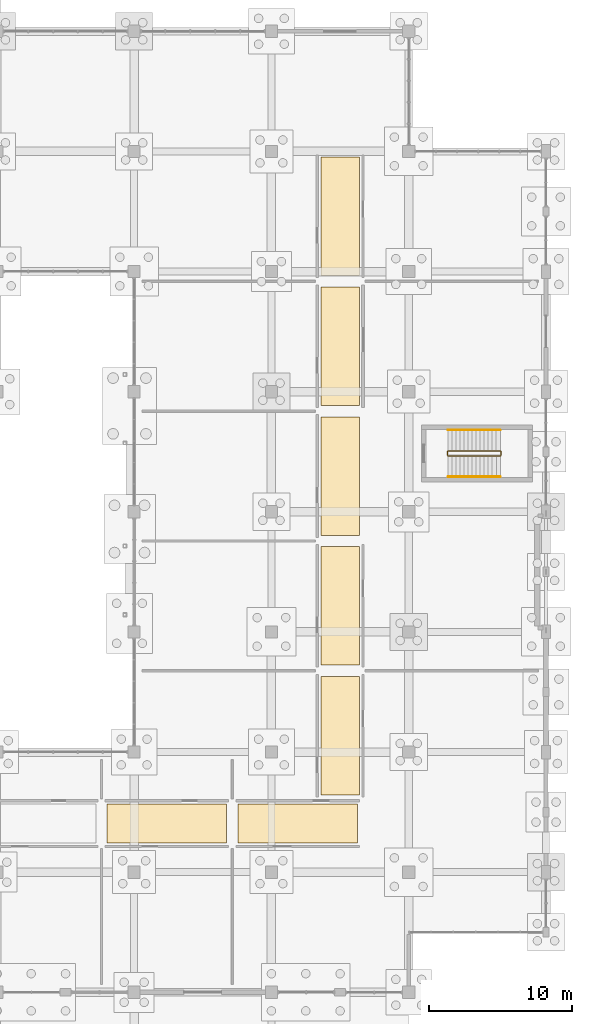
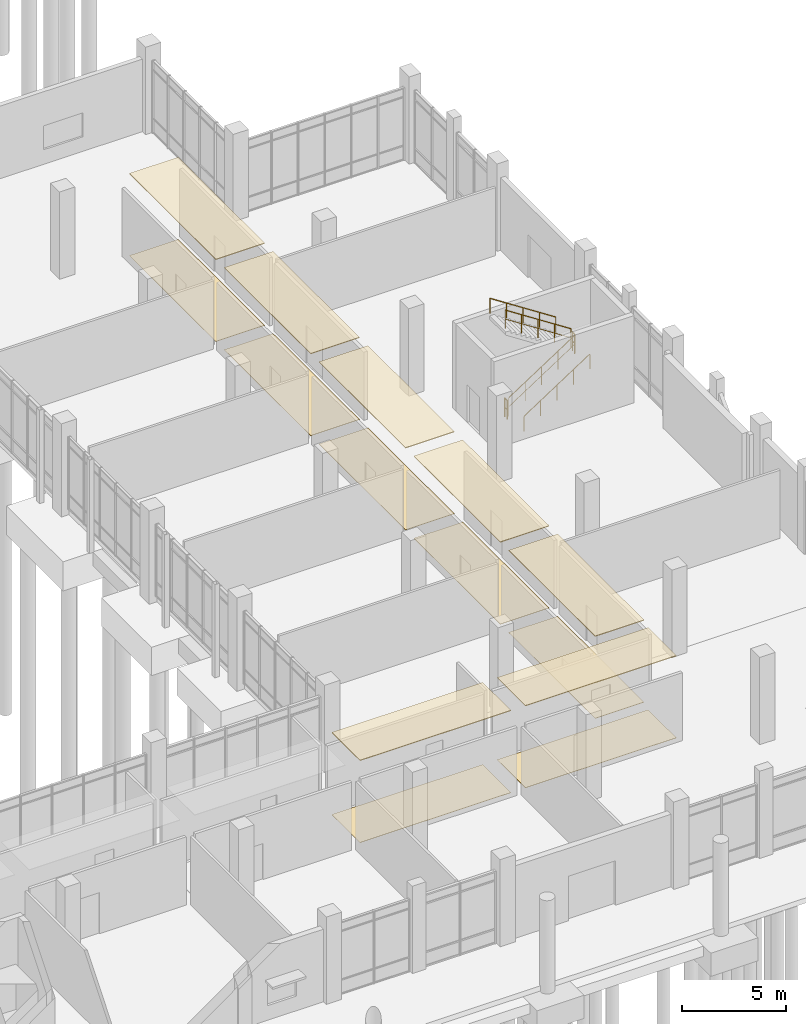
# One storey, part 130 of 136: 14 coverings, 6 railings.
"""IFC4 building model written with IfcOpenShell, lengths in metres."""

import ifcopenshell
import ifcopenshell.guid

model = None  # the IFC model being written
_history = None  # IfcOwnerHistory: only IFC2X3 demands one
_inside = {}  # id of a spatial element -> (the spatial element, [elements in it])
_under = {}  # id of a project, library or spatial element -> (it, [spatial elements below it])
_declared = {}  # id of a project -> (the project, [libraries it declares])
_typed = {}  # id of a type object -> (the type object, [elements of that type])
_made_of = {}  # id of a material, layer set ... -> (it, [elements and type objects made of it])


def new_model(schema):
    """Start an empty IFC model of exactly this schema.

    Asked for "IFC4X3", IfcOpenShell would pick the latest addendum, in which some entities
    have other attributes; the version numbers below select the first issue.
    IFC2X3 requires an IfcOwnerHistory on every rooted entity: one is made here for all.
    """
    global model, _history
    if schema == "IFC4X3":
        model = ifcopenshell.file(schema_version=(4, 3, 0, 0))
    else:
        model = ifcopenshell.file(schema=schema)
    _inside.clear()
    _under.clear()
    _declared.clear()
    _typed.clear()
    _made_of.clear()
    _history = None
    if model.schema == "IFC2X3":
        org = make("IfcOrganization", Name="unknown")
        user = make(
            "IfcPersonAndOrganization",
            ThePerson=make("IfcPerson", FamilyName="unknown"),
            TheOrganization=org,
        )
        app = make(
            "IfcApplication",
            ApplicationDeveloper=org,
            Version="unknown",
            ApplicationFullName="unknown",
            ApplicationIdentifier="unknown",
        )
        _history = make(
            "IfcOwnerHistory",
            OwningUser=user,
            OwningApplication=app,
            ChangeAction="ADDED",
            CreationDate=0,
        )
    return model


def make(cls, **values):
    """One entity of the class cls with the attributes given. An attribute that is None is left unset."""
    return model.create_entity(
        cls, **{name: value for name, value in values.items() if value is not None}
    )


def rooted(cls, **values):
    """An entity with a GlobalId (a new one), such as an element, a storey or a relation."""
    return make(cls, GlobalId=ifcopenshell.guid.new(), OwnerHistory=_history, **values)


def si_unit(unit_type, name, prefix=None):
    """IfcSIUnit, for example si_unit("LENGTHUNIT", "METRE", prefix="MILLI")."""
    return make("IfcSIUnit", UnitType=unit_type, Prefix=prefix, Name=name)


def assignment(units):
    """IfcUnitAssignment: the units of a project."""
    return None if units is None else make("IfcUnitAssignment", Units=units)


def point(xyz):
    """IfcCartesianPoint."""
    return None if xyz is None else make("IfcCartesianPoint", Coordinates=xyz)


def direction(xyz):
    """IfcDirection."""
    return None if xyz is None else make("IfcDirection", DirectionRatios=xyz)


def frame(location, z_axis=None, x_axis=None):
    """IfcAxis2Placement3D, a coordinate frame: its origin and axes. An axis left out is left unset."""
    return make(
        "IfcAxis2Placement3D",
        Location=point(location),
        Axis=direction(z_axis),
        RefDirection=direction(x_axis),
    )


def frame_2d(location, x_axis=None):
    """IfcAxis2Placement2D, a coordinate frame in the plane: its origin and x axis."""
    return make(
        "IfcAxis2Placement2D", Location=point(location), RefDirection=direction(x_axis)
    )


def origin():
    """The frame at (0, 0, 0) with its axes left unset."""
    return frame((0.0, 0.0, 0.0))


def origin_2d():
    """The frame at (0, 0) in the plane with its x axis left unset."""
    return frame_2d((0.0, 0.0))


def place(relative_to, where):
    """IfcLocalPlacement: puts the frame where relative to a parent placement (None: the world)."""
    return make(
        "IfcLocalPlacement", PlacementRelTo=relative_to, RelativePlacement=where
    )


def context(
    kind, dimensions, precision=None, world=None, true_north=None, identifier=None
):
    """IfcGeometricRepresentationContext, for example the 3D "Model" context."""
    return make(
        "IfcGeometricRepresentationContext",
        ContextIdentifier=identifier,
        ContextType=kind,
        CoordinateSpaceDimension=dimensions,
        Precision=precision,
        WorldCoordinateSystem=world,
        TrueNorth=true_north,
    )


def subcontext(parent, identifier, kind, view, scale=None):
    """IfcGeometricRepresentationSubContext, for example "Body" below "Model"."""
    return make(
        "IfcGeometricRepresentationSubContext",
        ContextIdentifier=identifier,
        ContextType=kind,
        ParentContext=parent,
        TargetScale=scale,
        TargetView=view,
    )


def project(units=None, contexts=None):
    """IfcProject with its units and contexts."""
    return rooted(
        "IfcProject",
        Name="project",
        RepresentationContexts=contexts,
        UnitsInContext=assignment(units),
    )


def spatial(cls, under=None, at=None, **own):
    """A site, building, storey or space (cls), placed at a placement, below another one or the project."""
    s = rooted(cls, ObjectPlacement=at, **own)
    if under is not None:
        _under.setdefault(under.id(), (under, []))[1].append(s)
    return s


def polyline(points):
    """IfcPolyline through the points."""
    return make("IfcPolyline", Points=[point(p) for p in points])


def profile(cls, at=None, kind="AREA", **sizes):
    """A parametric profile (cls). Its sizes go by their IFC names, for example OverallWidth=200.0."""
    return make(cls, ProfileType=kind, Position=at, **sizes)


def circle(**sizes):
    """IfcCircleProfileDef."""
    return profile("IfcCircleProfileDef", **sizes)


def outline(outer, holes=None, kind="AREA"):
    """IfcArbitraryClosedProfileDef: a profile drawn as a closed curve; with holes, ...WithVoids."""
    if holes is None:
        return make("IfcArbitraryClosedProfileDef", ProfileType=kind, OuterCurve=outer)
    return make(
        "IfcArbitraryProfileDefWithVoids",
        ProfileType=kind,
        OuterCurve=outer,
        InnerCurves=holes,
    )


def extrude(swept, where, along, depth):
    """IfcExtrudedAreaSolid: the profile swept, set in the frame where, extruded along a direction by depth."""
    return make(
        "IfcExtrudedAreaSolid",
        SweptArea=swept,
        Position=where,
        ExtrudedDirection=direction(along),
        Depth=depth,
    )


def shape(context_of_items, identifier, shape_type, items):
    """IfcShapeRepresentation: the items that make up one representation, for example the "Body"."""
    return make(
        "IfcShapeRepresentation",
        ContextOfItems=context_of_items,
        RepresentationIdentifier=identifier,
        RepresentationType=shape_type,
        Items=items,
    )


def material(Name=None, Category=None):
    """IfcMaterial."""
    return make("IfcMaterial", Name=Name, Category=Category)


def layer(
    of_material, thickness, ventilated=None, Name=None, Category=None, Priority=None
):
    """IfcMaterialLayer: one layer of a wall or slab, of a material (None: an air gap)."""
    return make(
        "IfcMaterialLayer",
        Material=of_material,
        LayerThickness=thickness,
        IsVentilated=ventilated,
        Name=Name,
        Category=Category,
        Priority=Priority,
    )


def layer_set(layers, Name=None):
    """IfcMaterialLayerSet."""
    return make("IfcMaterialLayerSet", MaterialLayers=layers, LayerSetName=Name)


def made_of(thing, what):
    """Note that an element or type object is made of a material, layer set ...; save() writes the relation."""
    if what is not None:
        _made_of.setdefault(what.id(), (what, []))[1].append(thing)
    return thing


def type_object(cls, material=None, **own):
    """A type object (cls), such as IfcWallType, which elements share."""
    return made_of(rooted(cls, **own), material)


def element(
    cls,
    number,
    at=None,
    inside=None,
    cuts=None,
    type_object=None,
    material=None,
    context=None,
    identifier="Body",
    shape_type=None,
    held_by="IfcProductDefinitionShape",
    body=None,
    shapes=None,
    **own,
):
    """One element of the class cls, such as IfcWall. Its Tag is "e" and its number.

    at: its placement. inside: the storey or other place that contains it. cuts: it is an
    opening in that element (IfcRelVoidsElement). A single representation is given by context,
    identifier, shape_type and body (its items); several are given by shapes. held_by: the class
    of the entity that holds the representations. save() writes the other relations.
    """
    e = rooted(cls, Tag="e%d" % number, ObjectPlacement=at, **own)
    if body is not None:
        shapes = [shape(context, identifier, shape_type, body)]
    if shapes is not None:
        e.Representation = make(held_by, Representations=shapes)
    if inside is not None:
        _inside.setdefault(inside.id(), (inside, []))[1].append(e)
    if cuts is not None:
        rooted(
            "IfcRelVoidsElement", RelatingBuildingElement=cuts, RelatedOpeningElement=e
        )
    if type_object is not None:
        _typed.setdefault(type_object.id(), (type_object, []))[1].append(e)
    return made_of(e, material)


def aggregate(whole, parts):
    """IfcRelAggregates: a whole, such as a stair, and the parts it consists of."""
    return rooted("IfcRelAggregates", RelatingObject=whole, RelatedObjects=parts)


def save(model, path):
    """Write the relations noted so far, then the file.

    IfcRelAggregates (storeys below a building ...), IfcRelContainedInSpatialStructure (elements
    in a storey), IfcRelDefinesByType, IfcRelAssociatesMaterial and IfcRelDeclares: one each for
    every whole, place, type object, material and project.
    """
    for whole, parts in _under.values():
        aggregate(whole, parts)
    for where, things in _inside.values():
        rooted(
            "IfcRelContainedInSpatialStructure",
            RelatedElements=things,
            RelatingStructure=where,
        )
    for kind, things in _typed.values():
        rooted("IfcRelDefinesByType", RelatedObjects=things, RelatingType=kind)
    for what, things in _made_of.values():
        rooted("IfcRelAssociatesMaterial", RelatedObjects=things, RelatingMaterial=what)
    for by, libraries in _declared.values():
        rooted("IfcRelDeclares", RelatingContext=by, RelatedDefinitions=libraries)
    model.write(path)


model = new_model("IFC4")

# Units and contexts
model_context = context("Model", 3, precision=1e-05, world=origin(), true_north=direction((0.0, 1.0)))
body_context = subcontext(model_context, "Body", "Model", "MODEL_VIEW")
ifc_project = project(units=[si_unit("LENGTHUNIT", "METRE"), si_unit("AREAUNIT", "SQUARE_METRE"), si_unit("VOLUMEUNIT", "CUBIC_METRE"), si_unit("PLANEANGLEUNIT", "RADIAN"), si_unit("MASSUNIT", "GRAM", prefix="KILO")], contexts=[model_context])

# Site, building, storey
site_placement = place(None, origin())
site = spatial("IfcSite", under=ifc_project, at=site_placement, CompositionType="ELEMENT")
building_placement = place(site_placement, origin())
building = spatial("IfcBuilding", under=site, at=building_placement, Name="Oolite Switchyard Hospital", CompositionType="ELEMENT")
storey_placement = place(building_placement, origin())
storey = spatial("IfcBuildingStorey", under=building, at=storey_placement, Name="L00", CompositionType="ELEMENT", Elevation=0.0)

# Coverings
ifc_material_1 = material(Name="Hygienic washable mineral-fibre acoustic ceiling")
ifc_layer_1 = layer(ifc_material_1, 0.0400390625)
ifc_layer_set_1 = layer_set([ifc_layer_1], Name="COV-CEIL-AC60")
covering_type_1 = type_object("IfcCoveringType", Name="COV-CEIL-AC60", PredefinedType="CEILING", material=ifc_layer_set_1)
covering_1_placement = place(storey_placement, frame((0.0, 0.0, 4.784912109375)))
element("IfcCovering", 1, at=covering_1_placement, inside=storey, type_object=covering_type_1, Name="L00 Outpatient South Clinic Corridor L00 Ceiling 6", PredefinedType="CEILING", context=body_context, shape_type="SweptSolid", body=[
    extrude(outline(polyline([(180.514892578125, 18.85009765625), (188.85791015625, 18.85009765625), (188.85791015625, 21.550048828125), (180.514892578125, 21.550048828125), (180.514892578125, 18.85009765625)])), origin(), (0.0, 0.0, 1.0), 0.0400390625),
])
covering_2_placement = place(storey_placement, frame((0.0, 0.0, 4.784912109375)))
element("IfcCovering", 2, at=covering_2_placement, inside=storey, type_object=covering_type_1, Name="L00 Outpatient South Clinic Corridor L00 Ceiling 7", PredefinedType="CEILING", context=body_context, shape_type="SweptSolid", body=[
    extrude(outline(polyline([(189.657958984375, 18.85009765625), (198.0009765625, 18.85009765625), (198.0009765625, 21.550048828125), (189.657958984375, 21.550048828125), (189.657958984375, 18.85009765625)])), origin(), (0.0, 0.0, 1.0), 0.0400390625),
])
covering_3_placement = place(storey_placement, frame((0.0, 0.0, 4.784912109375)))
element("IfcCovering", 3, at=covering_3_placement, inside=storey, type_object=covering_type_1, Name="L00 Outpatient East Clinic Corridor L00 Ceiling 1", PredefinedType="CEILING", context=body_context, shape_type="SweptSolid", body=[
    extrude(outline(polyline([(195.449951171875, 22.199951171875), (198.14990234375, 22.199951171875), (198.14990234375, 30.47998046875), (195.449951171875, 30.47998046875), (195.449951171875, 22.199951171875)])), origin(), (0.0, 0.0, 1.0), 0.0400390625),
])
covering_4_placement = place(storey_placement, frame((0.0, 0.0, 4.784912109375)))
element("IfcCovering", 4, at=covering_4_placement, inside=storey, type_object=covering_type_1, Name="L00 Outpatient East Clinic Corridor L00 Ceiling 2", PredefinedType="CEILING", context=body_context, shape_type="SweptSolid", body=[
    extrude(outline(polyline([(195.449951171875, 31.280029296875), (198.14990234375, 31.280029296875), (198.14990234375, 39.56005859375), (195.449951171875, 39.56005859375), (195.449951171875, 31.280029296875)])), origin(), (0.0, 0.0, 1.0), 0.0400390625),
])
covering_5_placement = place(storey_placement, frame((0.0, 0.0, 4.784912109375)))
element("IfcCovering", 5, at=covering_5_placement, inside=storey, type_object=covering_type_1, Name="L00 Outpatient East Clinic Corridor L00 Ceiling 3", PredefinedType="CEILING", context=body_context, shape_type="SweptSolid", body=[
    extrude(outline(polyline([(195.449951171875, 40.360107421875), (198.14990234375, 40.360107421875), (198.14990234375, 48.639892578125), (195.449951171875, 48.639892578125), (195.449951171875, 40.360107421875)])), origin(), (0.0, 0.0, 1.0), 0.0400390625),
])
covering_6_placement = place(storey_placement, frame((0.0, 0.0, 4.784912109375)))
element("IfcCovering", 6, at=covering_6_placement, inside=storey, type_object=covering_type_1, Name="L00 Outpatient East Clinic Corridor L00 Ceiling 4", PredefinedType="CEILING", context=body_context, shape_type="SweptSolid", body=[
    extrude(outline(polyline([(195.449951171875, 49.43994140625), (198.14990234375, 49.43994140625), (198.14990234375, 57.719970703125), (195.449951171875, 57.719970703125), (195.449951171875, 49.43994140625)])), origin(), (0.0, 0.0, 1.0), 0.0400390625),
])
covering_7_placement = place(storey_placement, frame((0.0, 0.0, 4.784912109375)))
element("IfcCovering", 7, at=covering_7_placement, inside=storey, type_object=covering_type_1, Name="L00 Outpatient East Clinic Corridor L00 Ceiling 5", PredefinedType="CEILING", context=body_context, shape_type="SweptSolid", body=[
    extrude(outline(polyline([(195.449951171875, 58.52001953125), (198.14990234375, 58.52001953125), (198.14990234375, 66.800048828125), (195.449951171875, 66.800048828125), (195.449951171875, 58.52001953125)])), origin(), (0.0, 0.0, 1.0), 0.0400390625),
])
ifc_material_2 = material(Name="Epoxy terrazzo seamless clinical flooring")
ifc_layer_2 = layer(ifc_material_2, 0.02001953125)
ifc_layer_set_2 = layer_set([ifc_layer_2], Name="COV-FLR-TER20")
covering_type_2 = type_object("IfcCoveringType", Name="COV-FLR-TER20", PredefinedType="FLOORING", material=ifc_layer_set_2)
covering_8_placement = place(storey_placement, origin())
element("IfcCovering", 8, at=covering_8_placement, inside=storey, type_object=covering_type_2, Name="L00 Outpatient South Clinic Corridor L00 Flooring 6", PredefinedType="FLOORING", context=body_context, shape_type="SweptSolid", body=[
    extrude(outline(polyline([(180.514892578125, 18.85009765625), (188.85791015625, 18.85009765625), (188.85791015625, 21.550048828125), (180.514892578125, 21.550048828125), (180.514892578125, 18.85009765625)])), origin(), (0.0, 0.0, 1.0), 0.02001953125),
])
covering_9_placement = place(storey_placement, origin())
element("IfcCovering", 9, at=covering_9_placement, inside=storey, type_object=covering_type_2, Name="L00 Outpatient South Clinic Corridor L00 Flooring 7", PredefinedType="FLOORING", context=body_context, shape_type="SweptSolid", body=[
    extrude(outline(polyline([(189.657958984375, 18.85009765625), (198.0009765625, 18.85009765625), (198.0009765625, 21.550048828125), (189.657958984375, 21.550048828125), (189.657958984375, 18.85009765625)])), origin(), (0.0, 0.0, 1.0), 0.02001953125),
])
covering_10_placement = place(storey_placement, origin())
element("IfcCovering", 10, at=covering_10_placement, inside=storey, type_object=covering_type_2, Name="L00 Outpatient East Clinic Corridor L00 Flooring 1", PredefinedType="FLOORING", context=body_context, shape_type="SweptSolid", body=[
    extrude(outline(polyline([(195.449951171875, 22.199951171875), (198.14990234375, 22.199951171875), (198.14990234375, 30.47998046875), (195.449951171875, 30.47998046875), (195.449951171875, 22.199951171875)])), origin(), (0.0, 0.0, 1.0), 0.02001953125),
])
covering_11_placement = place(storey_placement, origin())
element("IfcCovering", 11, at=covering_11_placement, inside=storey, type_object=covering_type_2, Name="L00 Outpatient East Clinic Corridor L00 Flooring 2", PredefinedType="FLOORING", context=body_context, shape_type="SweptSolid", body=[
    extrude(outline(polyline([(195.449951171875, 31.280029296875), (198.14990234375, 31.280029296875), (198.14990234375, 39.56005859375), (195.449951171875, 39.56005859375), (195.449951171875, 31.280029296875)])), origin(), (0.0, 0.0, 1.0), 0.02001953125),
])
covering_12_placement = place(storey_placement, origin())
element("IfcCovering", 12, at=covering_12_placement, inside=storey, type_object=covering_type_2, Name="L00 Outpatient East Clinic Corridor L00 Flooring 3", PredefinedType="FLOORING", context=body_context, shape_type="SweptSolid", body=[
    extrude(outline(polyline([(195.449951171875, 40.360107421875), (198.14990234375, 40.360107421875), (198.14990234375, 48.639892578125), (195.449951171875, 48.639892578125), (195.449951171875, 40.360107421875)])), origin(), (0.0, 0.0, 1.0), 0.02001953125),
])
covering_13_placement = place(storey_placement, origin())
element("IfcCovering", 13, at=covering_13_placement, inside=storey, type_object=covering_type_2, Name="L00 Outpatient East Clinic Corridor L00 Flooring 4", PredefinedType="FLOORING", context=body_context, shape_type="SweptSolid", body=[
    extrude(outline(polyline([(195.449951171875, 49.43994140625), (198.14990234375, 49.43994140625), (198.14990234375, 57.719970703125), (195.449951171875, 57.719970703125), (195.449951171875, 49.43994140625)])), origin(), (0.0, 0.0, 1.0), 0.02001953125),
])
covering_14_placement = place(storey_placement, origin())
element("IfcCovering", 14, at=covering_14_placement, inside=storey, type_object=covering_type_2, Name="L00 Outpatient East Clinic Corridor L00 Flooring 5", PredefinedType="FLOORING", context=body_context, shape_type="SweptSolid", body=[
    extrude(outline(polyline([(195.449951171875, 58.52001953125), (198.14990234375, 58.52001953125), (198.14990234375, 66.800048828125), (195.449951171875, 66.800048828125), (195.449951171875, 58.52001953125)])), origin(), (0.0, 0.0, 1.0), 0.02001953125),
])

# Railings
ifc_material_3 = material(Name="Galvanized painted architectural steel handrail", Category="steel")
railing_type_1 = type_object("IfcRailingType", Name="RL-STAIR-GRD", PredefinedType="GUARDRAIL", material=ifc_material_3)
railing_1_placement = place(storey_placement, frame((204.360107421875, 45.909912109375, 0.18212890625)))
element("IfcRailing", 15, at=railing_1_placement, inside=storey, type_object=railing_type_1, Name="L00 ST-06 stair guard 1", PredefinedType="GUARDRAIL", context=body_context, shape_type="SweptSolid", body=[
    extrude(circle(Radius=0.02392578125, at=origin_2d()), frame((0.0, 0.0, 1.076171875), z_axis=(0.838234174257, 0.0, 0.545310433706), x_axis=(0.0, 1.0, 0.0)), (0.0, 0.0, 1.0), 4.34228515625),
    extrude(circle(Radius=0.015625, at=origin_2d()), frame((0.0, 0.0, 0.550048828125), z_axis=(0.838234174257, 0.0, 0.545310433706), x_axis=(0.0, 1.0, 0.0)), (0.0, 0.0, 1.0), 4.34228515625),
    extrude(circle(Radius=0.02099609375, at=origin_2d()), origin(), (0.0, 0.0, 1.0), 1.052001953125),
    extrude(circle(Radius=0.02099609375, at=origin_2d()), frame((0.909912109375, 0.0, 0.592041015625)), (0.0, 0.0, 1.0), 1.052001953125),
    extrude(circle(Radius=0.02099609375, at=origin_2d()), frame((1.81982421875, 0.0, 1.18408203125)), (0.0, 0.0, 1.0), 1.052001953125),
    extrude(circle(Radius=0.02099609375, at=origin_2d()), frame((2.72998046875, 0.0, 1.77587890625)), (0.0, 0.0, 1.0), 1.052001953125),
    extrude(circle(Radius=0.02099609375, at=origin_2d()), frame((3.639892578125, 0.0, 2.367919921875)), (0.0, 0.0, 1.0), 1.052001953125),
])
railing_2_placement = place(storey_placement, frame((208.050048828125, 45.9599609375, 2.550048828125)))
element("IfcRailing", 16, at=railing_2_placement, inside=storey, type_object=railing_type_1, Name="L00 ST-06 stair guard 2", PredefinedType="GUARDRAIL", context=body_context, shape_type="SweptSolid", body=[
    extrude(circle(Radius=0.02392578125, at=origin_2d()), frame((0.0, 0.0, 1.076171875), z_axis=(0.0, 1.0, 0.0), x_axis=(-1.0, 0.0, 0.0)), (0.0, 0.0, 1.0), 0.239990234375),
    extrude(circle(Radius=0.015625, at=origin_2d()), frame((0.0, 0.0, 0.550048828125), z_axis=(0.0, 1.0, 0.0), x_axis=(-1.0, 0.0, 0.0)), (0.0, 0.0, 1.0), 0.239990234375),
    extrude(circle(Radius=0.02099609375, at=origin_2d()), origin(), (0.0, 0.0, 1.0), 1.052001953125),
    extrude(circle(Radius=0.02099609375, at=origin_2d()), frame((0.0, 0.239990234375, 0.0)), (0.0, 0.0, 1.0), 1.052001953125),
])
railing_3_placement = place(storey_placement, frame((208.0, 46.25, 2.732177734375)))
element("IfcRailing", 17, at=railing_3_placement, inside=storey, type_object=railing_type_1, Name="L00 ST-06 stair guard 3", PredefinedType="GUARDRAIL", context=body_context, shape_type="SweptSolid", body=[
    extrude(circle(Radius=0.02392578125, at=origin_2d()), frame((0.0, 0.0, 1.076171875), z_axis=(-0.838234174257, 0.0, 0.545310433706), x_axis=(0.0, -1.0, 0.0)), (0.0, 0.0, 1.0), 4.34228515625),
    extrude(circle(Radius=0.015625, at=origin_2d()), frame((0.0, 0.0, 0.550048828125), z_axis=(-0.838234174257, 0.0, 0.545310433706), x_axis=(0.0, -1.0, 0.0)), (0.0, 0.0, 1.0), 4.34228515625),
    extrude(circle(Radius=0.02099609375, at=origin_2d()), origin(), (0.0, 0.0, 1.0), 1.052001953125),
    extrude(circle(Radius=0.02099609375, at=origin_2d()), frame((-0.909912109375, 0.0, 0.592041015625)), (0.0, 0.0, 1.0), 1.052001953125),
    extrude(circle(Radius=0.02099609375, at=origin_2d()), frame((-1.81982421875, 0.0, 1.18408203125)), (0.0, 0.0, 1.0), 1.052001953125),
    extrude(circle(Radius=0.02099609375, at=origin_2d()), frame((-2.72998046875, 0.0, 1.77587890625)), (0.0, 0.0, 1.0), 1.052001953125),
    extrude(circle(Radius=0.02099609375, at=origin_2d()), frame((-3.639892578125, 0.0, 2.367919921875)), (0.0, 0.0, 1.0), 1.052001953125),
])
railing_4_placement = place(storey_placement, frame((204.31005859375, 45.9599609375, 0.0)))
element("IfcRailing", 18, at=railing_4_placement, inside=storey, type_object=railing_type_1, Name="L00 ST-06 stair guard 4", PredefinedType="GUARDRAIL", context=body_context, shape_type="SweptSolid", body=[
    extrude(circle(Radius=0.02392578125, at=origin_2d()), frame((0.0, 0.0, 1.076171875), z_axis=(0.0, 1.0, 0.0), x_axis=(-1.0, 0.0, 0.0)), (0.0, 0.0, 1.0), 0.239990234375),
    extrude(circle(Radius=0.015625, at=origin_2d()), frame((0.0, 0.0, 0.550048828125), z_axis=(0.0, 1.0, 0.0), x_axis=(-1.0, 0.0, 0.0)), (0.0, 0.0, 1.0), 0.239990234375),
    extrude(circle(Radius=0.02099609375, at=origin_2d()), origin(), (0.0, 0.0, 1.0), 1.052001953125),
    extrude(circle(Radius=0.02099609375, at=origin_2d()), frame((0.0, 0.239990234375, 0.0)), (0.0, 0.0, 1.0), 1.052001953125),
])
railing_type_2 = type_object("IfcRailingType", Name="RL-STAIR-HND", PredefinedType="HANDRAIL", material=ifc_material_3)
railing_5_placement = place(storey_placement, frame((204.360107421875, 44.449951171875, 0.18212890625)))
element("IfcRailing", 19, at=railing_5_placement, inside=storey, type_object=railing_type_2, Name="L00 ST-06 stair handrail 1", PredefinedType="HANDRAIL", context=body_context, shape_type="SweptSolid", body=[
    extrude(circle(Radius=0.02392578125, at=origin_2d()), frame((0.0, 0.0, 0.8759765625), z_axis=(0.838234174257, 0.0, 0.545310433706), x_axis=(0.0, 1.0, 0.0)), (0.0, 0.0, 1.0), 4.34228515625),
    extrude(circle(Radius=0.02099609375, at=origin_2d()), origin(), (0.0, 0.0, 1.0), 0.851806640625),
    extrude(circle(Radius=0.02099609375, at=origin_2d()), frame((0.909912109375, 0.0, 0.592041015625)), (0.0, 0.0, 1.0), 0.851806640625),
    extrude(circle(Radius=0.02099609375, at=origin_2d()), frame((1.81982421875, 0.0, 1.18408203125)), (0.0, 0.0, 1.0), 0.851806640625),
    extrude(circle(Radius=0.02099609375, at=origin_2d()), frame((2.72998046875, 0.0, 1.77587890625)), (0.0, 0.0, 1.0), 0.851806640625),
    extrude(circle(Radius=0.02099609375, at=origin_2d()), frame((3.639892578125, 0.0, 2.367919921875)), (0.0, 0.0, 1.0), 0.851806640625),
])
railing_6_placement = place(storey_placement, frame((208.0, 47.7099609375, 2.732177734375)))
element("IfcRailing", 20, at=railing_6_placement, inside=storey, type_object=railing_type_2, Name="L00 ST-06 stair handrail 2", PredefinedType="HANDRAIL", context=body_context, shape_type="SweptSolid", body=[
    extrude(circle(Radius=0.02392578125, at=origin_2d()), frame((0.0, 0.0, 0.8759765625), z_axis=(-0.838234174257, 0.0, 0.545310433706), x_axis=(0.0, -1.0, 0.0)), (0.0, 0.0, 1.0), 4.34228515625),
    extrude(circle(Radius=0.02099609375, at=origin_2d()), origin(), (0.0, 0.0, 1.0), 0.851806640625),
    extrude(circle(Radius=0.02099609375, at=origin_2d()), frame((-0.909912109375, 0.0, 0.592041015625)), (0.0, 0.0, 1.0), 0.851806640625),
    extrude(circle(Radius=0.02099609375, at=origin_2d()), frame((-1.81982421875, 0.0, 1.18408203125)), (0.0, 0.0, 1.0), 0.851806640625),
    extrude(circle(Radius=0.02099609375, at=origin_2d()), frame((-2.72998046875, 0.0, 1.77587890625)), (0.0, 0.0, 1.0), 0.851806640625),
    extrude(circle(Radius=0.02099609375, at=origin_2d()), frame((-3.639892578125, 0.0, 2.367919921875)), (0.0, 0.0, 1.0), 0.851806640625),
])

save(model, "model.ifc")
